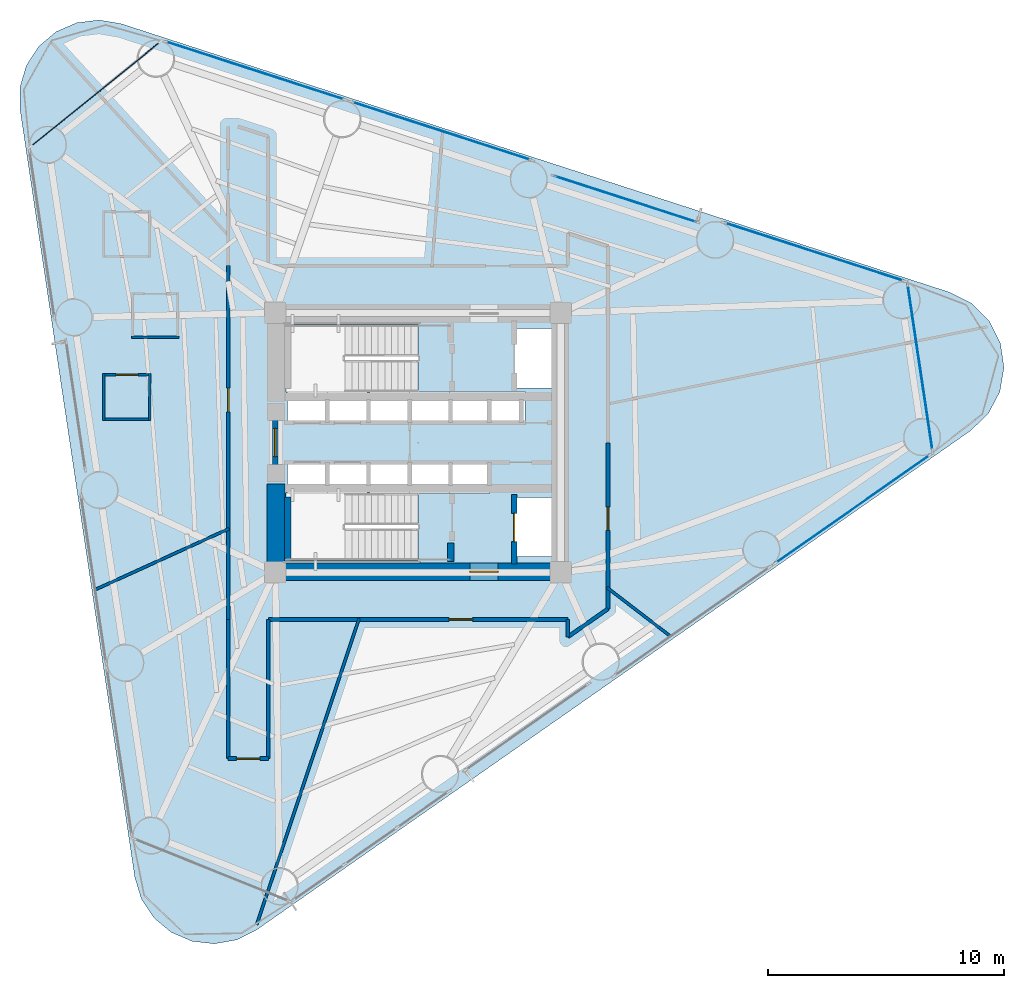
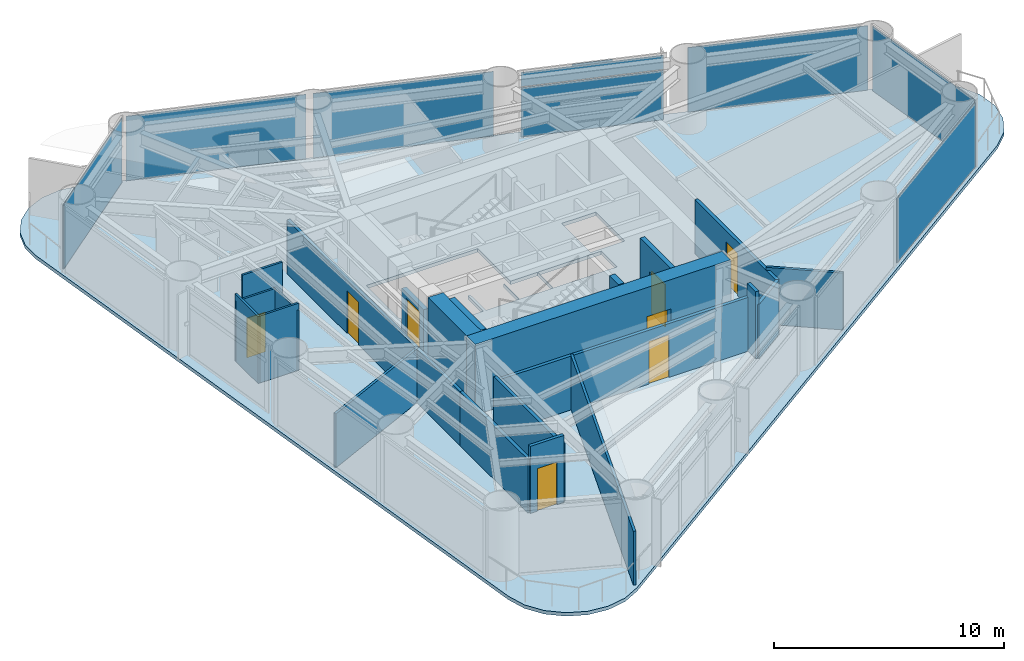
# One storey, part 5 of 11: 22 walls, 9 plates, 8 doors, 1 slab, 8 openings, 7 elements without a shape of their own.
"""IFC4 building model written with IfcOpenShell, lengths in metres."""

from ifc_helpers import new_model, si_unit, direction, frame, frame_2d, origin, origin_2d, place, context, subcontext, project, spatial, polyline, rectangle, outline, extrude, source, transform, mapped, material, layer, layer_set, type_object, element, fill, aggregate, save


model = new_model("IFC4")

# Units and contexts
model_context = context("Model", 3, precision=1e-05, world=origin(), true_north=direction((0.0, 1.0)))
body_context = subcontext(model_context, "Body", "Model", "MODEL_VIEW")
ifc_project = project(units=[si_unit("LENGTHUNIT", "METRE"), si_unit("AREAUNIT", "SQUARE_METRE"), si_unit("VOLUMEUNIT", "CUBIC_METRE"), si_unit("PLANEANGLEUNIT", "RADIAN"), si_unit("MASSUNIT", "GRAM", prefix="KILO")], contexts=[model_context])

# Site, building, storey
site_placement = place(None, origin())
site = spatial("IfcSite", under=ifc_project, at=site_placement, CompositionType="ELEMENT")
building_placement = place(site_placement, origin())
building = spatial("IfcBuilding", under=site, at=building_placement, Name="Yunling Apex Tower", CompositionType="ELEMENT")
storey_placement = place(building_placement, frame((0.0, 0.0, 54.800048828125)))
storey = spatial("IfcBuildingStorey", under=building, at=storey_placement, Name="L14", CompositionType="ELEMENT", Elevation=54.800048828125)

# Slab
ifc_material_1 = material(Name="Concrete C40", Category="concrete")
ifc_layer_1 = layer(ifc_material_1, 0.179931640625)
ifc_layer_set_1 = layer_set([ifc_layer_1], Name="Concrete C40")
slab_type = type_object("IfcSlabType", Name="SL-FLR-1", PredefinedType="FLOOR", material=ifc_layer_set_1)
slab_placement = place(storey_placement, frame((0.0, 0.0, -0.18505859375)))
element("IfcSlab", 1, at=slab_placement, inside=storey, type_object=slab_type, Name="L14 Composite Tower Floor Slab", PredefinedType="FLOOR", context=body_context, shape_type="SweptSolid", body=[
    extrude(outline(polyline([(-12.00732421875, -18.4326171875), (-11.730224609375, -19.349365234375), (-11.202392578125, -20.1484375), (-10.467529296875, -20.7626953125), (-9.587646484375, -21.14111328125), (-8.636474609375, -21.251708984375), (-7.693115234375, -21.08544921875), (-6.837158203125, -20.656005859375), (23.428955078125, 0.50537109375), (24.1796875, 1.231201171875), (24.6669921875, 2.155029296875), (24.842041015625, 3.184814453125), (24.687744140625, 4.217529296875), (24.21923828125, 5.15087890625), (23.483154296875, 5.89208984375), (22.552978515625, 6.36669921875), (-12.57763671875, 17.75439453125), (-13.521728515625, 17.914794921875), (-14.472412109375, 17.798095703125), (-15.349853515625, 17.414306640625), (-16.080810546875, 16.795166015625), (-16.603515625, 15.992919921875), (-16.875, 15.07421875), (-16.871826171875, 14.116455078125), (-12.00732421875, -18.4326171875)]), holes=[polyline([(5.81005859375, -2.320068359375), (5.81005859375, -4.840087890625), (4.090087890625, -4.840087890625), (4.090087890625, -2.320068359375), (5.81005859375, -2.320068359375)]), polyline([(5.81005859375, 4.840087890625), (5.81005859375, 2.320068359375), (4.090087890625, 2.320068359375), (4.090087890625, 4.840087890625), (5.81005859375, 4.840087890625)]), polyline([(1.364990234375, 2.1650390625), (4.534912109375, 2.1650390625), (4.534912109375, 0.794921875), (1.364990234375, 0.794921875), (1.364990234375, 2.1650390625)]), polyline([(3.034912109375, -0.794921875), (3.034912109375, -2.1650390625), (1.364990234375, -2.1650390625), (1.364990234375, -0.794921875), (3.034912109375, -0.794921875)]), polyline([(-5.534912109375, -0.794921875), (-3.864990234375, -0.794921875), (-3.864990234375, -2.139892578125), (-3.8349609375, -2.139892578125), (-3.8349609375, -0.794921875), (-2.1650390625, -0.794921875), (-2.1650390625, -2.139892578125), (-2.034912109375, -2.139892578125), (-2.034912109375, -0.794921875), (-0.364990234375, -0.794921875), (-0.364990234375, -2.139892578125), (-0.3349609375, -2.139892578125), (-0.3349609375, -0.794921875), (1.3349609375, -0.794921875), (1.3349609375, -2.1650390625), (-0.010009765625, -2.1650390625), (-0.010009765625, -5.010009765625), (-5.60009765625, -5.010009765625), (-5.60009765625, -2.139892578125), (-5.534912109375, -2.139892578125), (-5.534912109375, -0.794921875)]), polyline([(-5.60009765625, 2.139892578125), (-5.60009765625, 5.010009765625), (-0.010009765625, 5.010009765625), (-0.010009765625, 2.1650390625), (1.3349609375, 2.1650390625), (1.3349609375, 0.794921875), (-0.3349609375, 0.794921875), (-0.3349609375, 2.139892578125), (-0.364990234375, 2.139892578125), (-0.364990234375, 0.794921875), (-2.034912109375, 0.794921875), (-2.034912109375, 2.139892578125), (-2.1650390625, 2.139892578125), (-2.1650390625, 0.794921875), (-3.8349609375, 0.794921875), (-3.8349609375, 2.139892578125), (-3.864990234375, 2.139892578125), (-3.864990234375, 0.794921875), (-5.534912109375, 0.794921875), (-5.534912109375, 2.139892578125), (-5.60009765625, 2.139892578125)])]), origin(), (0.0, 0.0, 1.0), 0.18505859375),
])

# Plate
ifc_material_2 = material(Name="Bronze anodised aluminium", Category="aluminium")
ifc_layer_2 = layer(ifc_material_2, 0.011962890625)
ifc_layer_set_2 = layer_set([ifc_layer_2], Name="Bronze anodised aluminium")
plate_type_1 = type_object("IfcPlateType", Name="SP-SHT-1", PredefinedType="SHEET", material=ifc_layer_set_2)
shared_shape_1 = source(origin(), body_context, "Body", "SweptSolid", [
    extrude(rectangle(XDim=1.800048828125, YDim=0.02392578125, at=origin_2d()), origin(), (0.0, 0.0, 1.0), 0.43994140625),
])
plate_1_placement = place(storey_placement, frame((8.7919921875, 10.32275390625, 3.1650390625), z_axis=(0.0, 0.0, 1.0), x_axis=(-0.951272019071, 0.30835295642, 0.0)))
element("IfcPlate", 2, at=plate_1_placement, inside=storey, type_object=plate_type_1, Name="SP-GRV-L14-F2", PredefinedType="SHEET", context=body_context, shape_type="MappedRepresentation", body=[
    mapped(shared_shape_1, transform((0.0, 0.0, 0.0), scale=1.0)),
])

# Curtain wall, plates
ifc_layer_3 = layer(ifc_material_2, 0.260009765625)
ifc_layer_set_3 = layer_set([ifc_layer_3], Name="Bronze anodised aluminium")
curtain_wall_type = type_object("IfcCurtainWallType", Name="CW-SYS-2", PredefinedType="NOTDEFINED", material=ifc_layer_set_3)
curtain_wall_1_placement = place(storey_placement, origin())
curtain_wall_1 = element("IfcCurtainWall", 3, at=curtain_wall_1_placement, inside=storey, type_object=curtain_wall_type, Name="CW-L14-F2-B2", PredefinedType="NOTDEFINED")
ifc_material_3 = material(Name="Bronze tinted low-E glass", Category="glass")
ifc_layer_4 = layer(ifc_material_3, 0.033935546875)
ifc_layer_set_4 = layer_set([ifc_layer_4], Name="Bronze tinted low-E glass")
plate_type_2 = type_object("IfcPlateType", Name="CW-PNL-2", PredefinedType="CURTAIN_PANEL", material=ifc_layer_set_4)
shared_shape_2 = source(origin(), body_context, "Body", "SweptSolid", [
    extrude(rectangle(XDim=6.315673828125, YDim=0.033935546875, at=origin_2d()), origin(), (0.0, 0.0, 1.0), 2.60400390625),
])
plate_2_placement = place(storey_placement, frame((8.7919921875, 10.32275390625, 0.07666015625), z_axis=(0.0, 0.0, 1.0), x_axis=(-0.951272336999, 0.308351975608, 0.0)))
plate_2 = element("IfcPlate", 4, at=plate_2_placement, type_object=plate_type_2, Name="CW-SYS-2 panel 1.1", PredefinedType="CURTAIN_PANEL", context=body_context, shape_type="MappedRepresentation", body=[
    mapped(shared_shape_2, transform((0.0, 0.0, 0.0), scale=1.0)),
])
shared_shape_3 = source(origin(), body_context, "Body", "SweptSolid", [
    extrude(rectangle(XDim=6.315673828125, YDim=0.033935546875, at=origin_2d()), origin(), (0.0, 0.0, 1.0), 0.739013671875),
])
plate_3_placement = place(storey_placement, frame((8.7919921875, 10.32275390625, 2.7490234375), z_axis=(0.0, 0.0, 1.0), x_axis=(-0.951272336999, 0.308351975608, 0.0)))
plate_3 = element("IfcPlate", 5, at=plate_3_placement, type_object=plate_type_2, Name="CW-SYS-2 panel 1.2", PredefinedType="CURTAIN_PANEL", context=body_context, shape_type="MappedRepresentation", body=[
    mapped(shared_shape_3, transform((0.0, 0.0, 0.0), scale=1.0)),
])
aggregate(curtain_wall_1, [plate_2, plate_3])

# Curtain wall, plate
curtain_wall_2_placement = place(storey_placement, origin())
curtain_wall_2 = element("IfcCurtainWall", 6, at=curtain_wall_2_placement, inside=storey, type_object=curtain_wall_type, Name="CW-L14-F1-B4", PredefinedType="NOTDEFINED")
shared_shape_4 = source(origin(), body_context, "Body", "SweptSolid", [
    extrude(rectangle(XDim=7.995849609375, YDim=0.033935546875, at=origin_2d()), origin(), (0.0, 0.0, 1.0), 3.41162109375),
])
plate_4_placement = place(storey_placement, frame((18.430419921875, -2.818603515625, 0.07666015625), z_axis=(0.0, 0.0, 1.0), x_axis=(0.819552319691, 0.573004358875, 0.0)))
plate_4 = element("IfcPlate", 7, at=plate_4_placement, type_object=plate_type_2, Name="CW-SYS-2 panel 1.1", PredefinedType="CURTAIN_PANEL", context=body_context, shape_type="MappedRepresentation", body=[
    mapped(shared_shape_4, transform((0.0, 0.0, 0.0), scale=1.0)),
])
aggregate(curtain_wall_2, [plate_4])

curtain_wall_3_placement = place(storey_placement, origin())
curtain_wall_3 = element("IfcCurtainWall", 8, at=curtain_wall_3_placement, inside=storey, type_object=curtain_wall_type, Name="CW-L14-F2-B1", PredefinedType="NOTDEFINED")
plate_5_placement = place(storey_placement, frame((16.801025390625, 8.083984375, 0.07666015625), z_axis=(0.0, 0.0, 1.0), x_axis=(-0.951270593784, 0.30835735341, 0.0)))
plate_5 = element("IfcPlate", 9, at=plate_5_placement, type_object=plate_type_2, Name="CW-SYS-2 panel 1.1", PredefinedType="CURTAIN_PANEL", context=body_context, shape_type="MappedRepresentation", body=[
    mapped(shared_shape_4, transform((0.0, 0.0, 0.0), scale=1.0)),
])
aggregate(curtain_wall_3, [plate_5])

curtain_wall_4_placement = place(storey_placement, origin())
curtain_wall_4 = element("IfcCurtainWall", 10, at=curtain_wall_4_placement, inside=storey, type_object=curtain_wall_type, Name="CW-L14-F2-B3", PredefinedType="NOTDEFINED")
plate_6_placement = place(storey_placement, frame((0.9921875, 13.20849609375, 0.07666015625), z_axis=(0.0, 0.0, 1.0), x_axis=(-0.951266994272, 0.308368457544, 0.0)))
plate_6 = element("IfcPlate", 11, at=plate_6_placement, type_object=plate_type_2, Name="CW-SYS-2 panel 1.1", PredefinedType="CURTAIN_PANEL", context=body_context, shape_type="MappedRepresentation", body=[
    mapped(shared_shape_4, transform((0.0, 0.0, 0.0), scale=1.0)),
])
aggregate(curtain_wall_4, [plate_6])

curtain_wall_5_placement = place(storey_placement, origin())
curtain_wall_5 = element("IfcCurtainWall", 12, at=curtain_wall_5_placement, inside=storey, type_object=curtain_wall_type, Name="CW-L14-F2-B4", PredefinedType="NOTDEFINED")
plate_7_placement = place(storey_placement, frame((-6.912109375, 15.770751953125, 0.07666015625), z_axis=(0.0, 0.0, 1.0), x_axis=(-0.951270593784, 0.30835735341, 0.0)))
plate_7 = element("IfcPlate", 13, at=plate_7_placement, type_object=plate_type_2, Name="CW-SYS-2 panel 1.1", PredefinedType="CURTAIN_PANEL", context=body_context, shape_type="MappedRepresentation", body=[
    mapped(shared_shape_4, transform((0.0, 0.0, 0.0), scale=1.0)),
])
aggregate(curtain_wall_5, [plate_7])

curtain_wall_6_placement = place(storey_placement, origin())
curtain_wall_6 = element("IfcCurtainWall", 14, at=curtain_wall_6_placement, inside=storey, type_object=curtain_wall_type, Name="CW-L14-CRN1", PredefinedType="NOTDEFINED")
shared_shape_5 = source(origin(), body_context, "Body", "SweptSolid", [
    extrude(rectangle(XDim=7.132080078125, YDim=0.033935546875, at=origin_2d()), origin(), (0.0, 0.0, 1.0), 3.41162109375),
])
plate_8_placement = place(storey_placement, frame((21.28564453125, 3.18115234375, 0.07666015625), z_axis=(0.0, 0.0, 1.0), x_axis=(-0.147798115278, 0.989017551472, 0.0)))
plate_8 = element("IfcPlate", 15, at=plate_8_placement, type_object=plate_type_2, Name="CW-SYS-2 panel 1.1", PredefinedType="CURTAIN_PANEL", context=body_context, shape_type="MappedRepresentation", body=[
    mapped(shared_shape_5, transform((0.0, 0.0, 0.0), scale=1.0)),
])
aggregate(curtain_wall_6, [plate_8])

curtain_wall_7_placement = place(storey_placement, origin())
curtain_wall_7 = element("IfcCurtainWall", 16, at=curtain_wall_7_placement, inside=storey, type_object=curtain_wall_type, Name="CW-L14-CRN2", PredefinedType="NOTDEFINED")
shared_shape_6 = source(origin(), body_context, "Body", "SweptSolid", [
    extrude(rectangle(XDim=7.043212890625, YDim=0.033935546875, at=origin_2d()), origin(), (0.0, 0.0, 1.0), 3.41162109375),
])
plate_9_placement = place(storey_placement, frame((-13.67041015625, 14.772705078125, 0.07666015625), z_axis=(0.0, 0.0, 1.0), x_axis=(-0.778148820322, -0.628079941911, 0.0)))
plate_9 = element("IfcPlate", 17, at=plate_9_placement, type_object=plate_type_2, Name="CW-SYS-2 panel 1.1", PredefinedType="CURTAIN_PANEL", context=body_context, shape_type="MappedRepresentation", body=[
    mapped(shared_shape_6, transform((0.0, 0.0, 0.0), scale=1.0)),
])
aggregate(curtain_wall_7, [plate_9])

# Wall, opening, door
ifc_material_4 = material(Name="Concrete C60", Category="concrete")
ifc_layer_5 = layer(ifc_material_4, 0.75)
ifc_layer_set_5 = layer_set([ifc_layer_5], Name="Concrete C60")
wall_type_1 = type_object("IfcWallType", Name="WL-COR-1", PredefinedType="SHEAR", material=ifc_layer_set_5)
wall_1_placement = place(storey_placement, frame((-6.39990234375, -5.47509765625, 0.0), z_axis=(0.0, 0.0, 1.0), x_axis=(1.0, 0.0, 0.0)))
wall_1 = element("IfcWall", 18, at=wall_1_placement, inside=storey, type_object=wall_type_1, Name="L14 South Core Shear Wall", PredefinedType="SHEAR", context=body_context, shape_type="SweptSolid", body=[
    extrude(rectangle(XDim=12.7998046875, YDim=0.75, at=frame_2d((6.39990234375, 0.0))), origin(), (0.0, 0.0, 1.0), 3.75),
])
opening_1_placement = place(wall_1_placement, frame((8.60009765625, 0.0, 0.0)))
opening_1 = element("IfcOpeningElement", 19, at=opening_1_placement, cuts=wall_1, Name="Opening DR-FFL-1", PredefinedType="OPENING", context=body_context, shape_type="SweptSolid", body=[
    extrude(rectangle(XDim=1.199951171875, YDim=2.199951171875, at=frame_2d((0.60009765625, 1.10009765625))), frame((0.0, 0.385009765625, 0.0), z_axis=(0.0, -1.0, 0.0), x_axis=(1.0, 0.0, 0.0)), (0.0, 0.0, 1.0), 0.77001953125),
])
ifc_material_5 = material(Name="Steel Q355B", Category="steel")
door_type_1 = type_object("IfcDoorType", Name="DR-FFL-1", OperationType="NOTDEFINED", PredefinedType="DOOR", material=ifc_material_5)
door_1_placement = place(opening_1_placement, origin())
door_1 = element("IfcDoor", 20, at=door_1_placement, inside=storey, type_object=door_type_1, Name="L14 South Firefighting Lobby Door", OperationType="SINGLE_SWING_RIGHT", OverallHeight=2.199951171875, OverallWidth=1.199951171875, PredefinedType="DOOR", context=body_context, shape_type="SweptSolid", body=[
    extrude(rectangle(XDim=1.199951171875, YDim=2.199951171875, at=frame_2d((0.60009765625, 1.10009765625))), frame((0.0, 0.02490234375, 0.0), z_axis=(0.0, -1.0, 0.0), x_axis=(1.0, 0.0, 0.0)), (0.0, 0.0, 1.0), 0.050048828125),
])
fill(opening_1, door_1)

# Walls
wall_2_placement = place(storey_placement, frame((-6.02490234375, -5.10009765625, 0.0), z_axis=(0.0, 0.0, 1.0), x_axis=(0.0, 1.0, 0.0)))
element("IfcWall", 21, at=wall_2_placement, inside=storey, type_object=wall_type_1, Name="L14 West-South Core Shear Wall", PredefinedType="SHEAR", context=body_context, shape_type="SweptSolid", body=[
    extrude(rectangle(XDim=3.35009765625, YDim=0.75, at=frame_2d((1.675048828125, 0.0))), origin(), (0.0, 0.0, 1.0), 3.75),
])
ifc_layer_6 = layer(ifc_material_1, 0.280029296875)
ifc_layer_set_6 = layer_set([ifc_layer_6], Name="Concrete C40")
wall_type_2 = type_object("IfcWallType", Name="WL-COR-8", PredefinedType="SHEAR", material=ifc_layer_set_6)
wall_3_placement = place(storey_placement, frame((-5.52001953125, -5.050048828125, 0.0), z_axis=(0.0, 0.0, 1.0), x_axis=(0.0, 1.0, 0.0)))
element("IfcWall", 22, at=wall_3_placement, inside=storey, type_object=wall_type_2, Name="L14 ST-2 West Landing Bearing Wall", PredefinedType="SHEAR", context=body_context, shape_type="SweptSolid", body=[
    extrude(rectangle(XDim=2.75, YDim=0.280029296875, at=frame_2d((1.375, 0.0))), origin(), (0.0, 0.0, 1.0), 3.75),
])
wall_4_placement = place(storey_placement, frame((1.3798828125, -5.050048828125, 0.0), z_axis=(0.0, 0.0, 1.0), x_axis=(0.0, 1.0, 0.0)))
element("IfcWall", 23, at=wall_4_placement, inside=storey, type_object=wall_type_2, Name="L14 ST-2 East Landing Bearing Pier", PredefinedType="SHEAR", context=body_context, shape_type="SweptSolid", body=[
    extrude(rectangle(XDim=0.800048828125, YDim=0.280029296875, at=frame_2d((0.39990234375, 0.0))), origin(), (0.0, 0.0, 1.0), 3.75),
])

# Wall, opening, door
ifc_material_6 = material(Name="Gypsum board acoustic partition")
ifc_layer_7 = layer(ifc_material_6, 0.159912109375)
ifc_layer_set_7 = layer_set([ifc_layer_7], Name="Gypsum board acoustic partition")
wall_type_3 = type_object("IfcWallType", Name="WL-PRT-1", PredefinedType="PARTITIONING", material=ifc_layer_set_7)
wall_5_placement = place(storey_placement, frame((-6.35009765625, -13.39990234375, 0.0), z_axis=(0.0, 0.0, 1.0), x_axis=(-1.0, 0.0, 0.0)))
wall_5 = element("IfcWall", 24, at=wall_5_placement, inside=storey, type_object=wall_type_3, Name="WL-CORR-L14-01", PredefinedType="PARTITIONING", context=body_context, shape_type="SweptSolid", body=[
    extrude(rectangle(XDim=1.699951171875, YDim=0.159912109375, at=frame_2d((0.85009765625, 0.0))), origin(), (0.0, 0.0, 1.0), 3.544921875),
])
opening_2_placement = place(wall_5_placement, frame((0.35009765625, 0.0, 0.0)))
opening_2 = element("IfcOpeningElement", 25, at=opening_2_placement, cuts=wall_5, Name="Opening DR-OFF-1", PredefinedType="OPENING", context=body_context, shape_type="SweptSolid", body=[
    extrude(rectangle(XDim=1.0, YDim=2.25, at=frame_2d((0.5, 1.125))), frame((0.0, 0.08984375, 0.0), z_axis=(0.0, -1.0, 0.0), x_axis=(1.0, 0.0, 0.0)), (0.0, 0.0, 1.0), 0.179931640625),
])
door_type_2 = type_object("IfcDoorType", Name="DR-OFF-1", OperationType="NOTDEFINED", PredefinedType="DOOR", material=ifc_material_2)
door_2_placement = place(opening_2_placement, origin())
door_2 = element("IfcDoor", 26, at=door_2_placement, inside=storey, type_object=door_type_2, Name="L14 Conference Meeting Room Door", OperationType="SINGLE_SWING_RIGHT", OverallHeight=2.25, OverallWidth=1.0, PredefinedType="DOOR", context=body_context, shape_type="SweptSolid", body=[
    extrude(rectangle(XDim=1.0, YDim=2.25, at=frame_2d((0.5, 1.125))), frame((0.0, 0.02490234375, 0.0), z_axis=(0.0, -1.0, 0.0), x_axis=(1.0, 0.0, 0.0)), (0.0, 0.0, 1.0), 0.050048828125),
])
fill(opening_2, door_2)

# Wall
wall_6_placement = place(storey_placement, frame((-8.050048828125, -13.39990234375, 0.0), z_axis=(0.0, 0.0, 1.0), x_axis=(0.0, 1.0, 0.0)))
element("IfcWall", 27, at=wall_6_placement, inside=storey, type_object=wall_type_3, Name="WL-CORR-L14-02", PredefinedType="PARTITIONING", context=body_context, shape_type="SweptSolid", body=[
    extrude(rectangle(XDim=5.89990234375, YDim=0.159912109375, at=frame_2d((2.949951171875, 0.0))), origin(), (0.0, 0.0, 1.0), 2.849853515625),
])

# Wall, opening, door
wall_7_placement = place(storey_placement, frame((-8.050048828125, -7.5, 0.0), z_axis=(0.0, 0.0, 1.0), x_axis=(0.0, 1.0, 0.0)))
wall_7 = element("IfcWall", 28, at=wall_7_placement, inside=storey, type_object=wall_type_3, Name="WL-CORR-L14-03", PredefinedType="PARTITIONING", context=body_context, shape_type="SweptSolid", body=[
    extrude(rectangle(XDim=15.0, YDim=0.159912109375, at=frame_2d((7.5, 0.0))), origin(), (0.0, 0.0, 1.0), 2.849853515625),
])
opening_3_placement = place(wall_7_placement, frame((8.805908203125, 0.0, 0.0)))
opening_3 = element("IfcOpeningElement", 29, at=opening_3_placement, cuts=wall_7, Name="Opening DR-OFF-1", PredefinedType="OPENING", context=body_context, shape_type="SweptSolid", body=[
    extrude(rectangle(XDim=1.0, YDim=2.25, at=frame_2d((0.5, 1.125))), frame((0.0, 0.08984375, 0.0), z_axis=(0.0, -1.0, 0.0), x_axis=(1.0, 0.0, 0.0)), (0.0, 0.0, 1.0), 0.179931640625),
])
door_3_placement = place(opening_3_placement, origin())
door_3 = element("IfcDoor", 30, at=door_3_placement, inside=storey, type_object=door_type_2, Name="L14 Service Foyer Lounge Door", OperationType="SINGLE_SWING_LEFT", OverallHeight=2.25, OverallWidth=1.0, PredefinedType="DOOR", context=body_context, shape_type="SweptSolid", body=[
    extrude(rectangle(XDim=1.0, YDim=2.25, at=frame_2d((0.5, 1.125))), frame((0.0, 0.02490234375, 0.0), z_axis=(0.0, -1.0, 0.0), x_axis=(1.0, 0.0, 0.0)), (0.0, 0.0, 1.0), 0.050048828125),
])
fill(opening_3, door_3)

wall_8_placement = place(storey_placement, frame((8.050048828125, -0.02001953125, 0.0), z_axis=(0.0, 0.0, 1.0), x_axis=(0.0, -1.0, 0.0)))
wall_8 = element("IfcWall", 31, at=wall_8_placement, inside=storey, type_object=wall_type_3, Name="WL-CORR-L14-13", PredefinedType="PARTITIONING", context=body_context, shape_type="SweptSolid", body=[
    extrude(rectangle(XDim=7.0302734375, YDim=0.159912109375, at=frame_2d((3.51513671875, 0.0))), origin(), (0.0, 0.0, 1.0), 2.849853515625),
])
opening_4_placement = place(wall_8_placement, frame((2.70458984375, 0.0, 0.0)))
opening_4 = element("IfcOpeningElement", 32, at=opening_4_placement, cuts=wall_8, Name="Opening DR-OFF-1", PredefinedType="OPENING", context=body_context, shape_type="SweptSolid", body=[
    extrude(rectangle(XDim=1.0, YDim=2.25, at=frame_2d((0.5, 1.125))), frame((0.0, 0.08984375, 0.0), z_axis=(0.0, -1.0, 0.0), x_axis=(1.0, 0.0, 0.0)), (0.0, 0.0, 1.0), 0.179931640625),
])
door_4_placement = place(opening_4_placement, origin())
door_4 = element("IfcDoor", 33, at=door_4_placement, inside=storey, type_object=door_type_2, Name="L14 Conference Meeting Room Door", OperationType="SINGLE_SWING_RIGHT", OverallHeight=2.25, OverallWidth=1.0, PredefinedType="DOOR", context=body_context, shape_type="SweptSolid", body=[
    extrude(rectangle(XDim=1.0, YDim=2.25, at=frame_2d((0.5, 1.125))), frame((0.0, 0.02490234375, 0.0), z_axis=(0.0, -1.0, 0.0), x_axis=(1.0, 0.0, 0.0)), (0.0, 0.0, 1.0), 0.050048828125),
])
fill(opening_4, door_4)

# Walls
wall_9_placement = place(storey_placement, frame((8.050048828125, -7.05029296875, 0.0), z_axis=(0.0, 0.0, 1.0), x_axis=(-0.819513816746, -0.573059424635, 0.0)))
element("IfcWall", 34, at=wall_9_placement, inside=storey, type_object=wall_type_3, Name="WL-CORR-L14-14", PredefinedType="PARTITIONING", context=body_context, shape_type="SweptSolid", body=[
    extrude(rectangle(XDim=2.074462890625, YDim=0.159912109375, at=frame_2d((1.037109375, 0.0))), origin(), (0.0, 0.0, 1.0), 2.849853515625),
])
wall_10_placement = place(storey_placement, frame((6.35009765625, -8.239013671875, 0.0), z_axis=(0.0, 0.0, 1.0), x_axis=(0.0, 1.0, 0.0)))
element("IfcWall", 35, at=wall_10_placement, inside=storey, type_object=wall_type_3, Name="WL-CORR-L14-15", PredefinedType="PARTITIONING", context=body_context, shape_type="SweptSolid", body=[
    extrude(rectangle(XDim=0.739013671875, YDim=0.159912109375, at=frame_2d((0.36962890625, 0.0))), origin(), (0.0, 0.0, 1.0), 3.544921875),
])

# Wall, opening, door
wall_11_placement = place(storey_placement, frame((6.35009765625, -7.5, 0.0), z_axis=(0.0, 0.0, 1.0), x_axis=(-1.0, 0.0, 0.0)))
wall_11 = element("IfcWall", 36, at=wall_11_placement, inside=storey, type_object=wall_type_3, Name="WL-CORR-L14-16", PredefinedType="PARTITIONING", context=body_context, shape_type="SweptSolid", body=[
    extrude(rectangle(XDim=12.7001953125, YDim=0.159912109375, at=frame_2d((6.35009765625, 0.0))), origin(), (0.0, 0.0, 1.0), 2.849853515625),
])
opening_5_placement = place(wall_11_placement, frame((4.03515625, 0.0, 0.0)))
opening_5 = element("IfcOpeningElement", 37, at=opening_5_placement, cuts=wall_11, Name="Opening DR-OFF-1", PredefinedType="OPENING", context=body_context, shape_type="SweptSolid", body=[
    extrude(rectangle(XDim=1.0, YDim=2.25, at=frame_2d((0.5, 1.125))), frame((0.0, 0.08984375, 0.0), z_axis=(0.0, -1.0, 0.0), x_axis=(1.0, 0.0, 0.0)), (0.0, 0.0, 1.0), 0.179931640625),
])
door_5_placement = place(opening_5_placement, origin())
door_5 = element("IfcDoor", 38, at=door_5_placement, inside=storey, type_object=door_type_2, Name="L14 Conference Meeting Room Door", OperationType="SINGLE_SWING_LEFT", OverallHeight=2.25, OverallWidth=1.0, PredefinedType="DOOR", context=body_context, shape_type="SweptSolid", body=[
    extrude(rectangle(XDim=1.0, YDim=2.25, at=frame_2d((0.5, 1.125))), frame((0.0, 0.02490234375, 0.0), z_axis=(0.0, -1.0, 0.0), x_axis=(1.0, 0.0, 0.0)), (0.0, 0.0, 1.0), 0.050048828125),
])
fill(opening_5, door_5)

# Walls
wall_12_placement = place(storey_placement, frame((-6.35009765625, -7.5, 0.0), z_axis=(0.0, 0.0, 1.0), x_axis=(0.0, -1.0, 0.0)))
element("IfcWall", 39, at=wall_12_placement, inside=storey, type_object=wall_type_3, Name="WL-CORR-L14-17", PredefinedType="PARTITIONING", context=body_context, shape_type="SweptSolid", body=[
    extrude(rectangle(XDim=5.89990234375, YDim=0.159912109375, at=frame_2d((2.949951171875, 0.0))), origin(), (0.0, 0.0, 1.0), 3.050048828125),
])
ifc_layer_8 = layer(ifc_material_6, 0.1201171875)
ifc_layer_set_8 = layer_set([ifc_layer_8], Name="Gypsum board acoustic partition")
wall_type_4 = type_object("IfcWallType", Name="WL-PRT-3", PredefinedType="PARTITIONING", material=ifc_layer_set_8)
wall_13_placement = place(storey_placement, frame((-8.010009765625, -3.650390625, 0.0), z_axis=(0.0, 0.0, 1.0), x_axis=(-0.909955974898, -0.414704863425, 0.0)))
element("IfcWall", 40, at=wall_13_placement, inside=storey, type_object=wall_type_4, Name="WL-RAD-L14-03", PredefinedType="PARTITIONING", context=body_context, shape_type="SweptSolid", body=[
    extrude(rectangle(XDim=6.198486328125, YDim=0.1201171875, at=frame_2d((3.09912109375, 0.0))), origin(), (0.0, 0.0, 1.0), 2.849853515625),
])
wall_14_placement = place(storey_placement, frame((-2.49609375, -7.4599609375, 0.0), z_axis=(0.0, 0.0, 1.0), x_axis=(-0.317303379034, -0.948324082608, 0.0)))
element("IfcWall", 41, at=wall_14_placement, inside=storey, type_object=wall_type_4, Name="WL-RAD-L14-04", PredefinedType="PARTITIONING", context=body_context, shape_type="SweptSolid", body=[
    extrude(rectangle(XDim=13.68408203125, YDim=0.1201171875, at=frame_2d((6.842041015625, 0.0))), origin(), (0.0, 0.0, 1.0), 2.849853515625),
])
wall_15_placement = place(storey_placement, frame((8.010009765625, -6.146240234375, 0.0), z_axis=(0.0, 0.0, 1.0), x_axis=(0.79333380799, -0.608786883153, 0.0)))
element("IfcWall", 42, at=wall_15_placement, inside=storey, type_object=wall_type_4, Name="WL-RAD-L14-05", PredefinedType="PARTITIONING", context=body_context, shape_type="SweptSolid", body=[
    extrude(rectangle(XDim=3.360107421875, YDim=0.1201171875, at=frame_2d((1.68017578125, 0.0))), origin(), (0.0, 0.0, 1.0), 3.010009765625),
])

# Wall, opening, door
ifc_layer_9 = layer(ifc_material_6, 0.10009765625)
ifc_layer_set_9 = layer_set([ifc_layer_9], Name="Gypsum board acoustic partition")
wall_type_5 = type_object("IfcWallType", Name="WL-PRT-4", PredefinedType="PARTITIONING", material=ifc_layer_set_9)
wall_16_placement = place(storey_placement, frame((-13.366943359375, 2.881103515625, 0.0), z_axis=(0.0, 0.0, 1.0), x_axis=(1.0, 0.0, 0.0)))
wall_16 = element("IfcWall", 43, at=wall_16_placement, inside=storey, type_object=wall_type_5, Name="WL-L14-WCMN", PredefinedType="PARTITIONING", context=body_context, shape_type="SweptSolid", body=[
    extrude(rectangle(XDim=2.050048828125, YDim=0.10009765625, at=frame_2d((1.02490234375, 0.0))), origin(), (0.0, 0.0, 1.0), 3.199951171875),
])
opening_6_placement = place(wall_16_placement, frame((0.56494140625, 0.0, 0.0)))
opening_6 = element("IfcOpeningElement", 44, at=opening_6_placement, cuts=wall_16, Name="Opening DR-WC-1", PredefinedType="OPENING", context=body_context, shape_type="SweptSolid", body=[
    extrude(rectangle(XDim=0.919921875, YDim=2.10009765625, at=frame_2d((0.4599609375, 1.050048828125))), frame((0.0, 0.06005859375, 0.0), z_axis=(0.0, -1.0, 0.0), x_axis=(1.0, 0.0, 0.0)), (0.0, 0.0, 1.0), 0.1201171875),
])
ifc_material_7 = material(Name="Timber moisture-resistant leaf", Category="wood")
door_type_3 = type_object("IfcDoorType", Name="DR-WC-1", OperationType="NOTDEFINED", PredefinedType="DOOR", material=ifc_material_7)
door_6_placement = place(opening_6_placement, origin())
door_6 = element("IfcDoor", 45, at=door_6_placement, inside=storey, type_object=door_type_3, Name="L14 Male Toilet Door", OperationType="SINGLE_SWING_LEFT", OverallHeight=2.10009765625, OverallWidth=0.919921875, PredefinedType="DOOR", context=body_context, shape_type="SweptSolid", body=[
    extrude(rectangle(XDim=0.919921875, YDim=2.10009765625, at=frame_2d((0.4599609375, 1.050048828125))), frame((0.0, 0.02490234375, 0.0), z_axis=(0.0, -1.0, 0.0), x_axis=(1.0, 0.0, 0.0)), (0.0, 0.0, 1.0), 0.050048828125),
])
fill(opening_6, door_6)

# Walls
wall_17_placement = place(storey_placement, frame((-11.31689453125, 0.98095703125, 0.0), z_axis=(0.0, 0.0, 1.0), x_axis=(-1.0, 0.0, 0.0)))
element("IfcWall", 46, at=wall_17_placement, inside=storey, type_object=wall_type_5, Name="WL-L14-WCMS", PredefinedType="PARTITIONING", context=body_context, shape_type="SweptSolid", body=[
    extrude(rectangle(XDim=2.050048828125, YDim=0.10009765625, at=frame_2d((1.02490234375, 0.0))), origin(), (0.0, 0.0, 1.0), 3.544921875),
])
wall_18_placement = place(storey_placement, frame((-11.366943359375, 2.930908203125, 0.0), z_axis=(0.0, 0.0, 1.0), x_axis=(0.0, -1.0, 0.0)))
element("IfcWall", 47, at=wall_18_placement, inside=storey, type_object=wall_type_5, Name="WL-L14-WCME", PredefinedType="PARTITIONING", context=body_context, shape_type="SweptSolid", body=[
    extrude(rectangle(XDim=2.0, YDim=0.10009765625, at=frame_2d((1.0, 0.0))), origin(), (0.0, 0.0, 1.0), 3.199951171875),
])
wall_19_placement = place(storey_placement, frame((-13.31689453125, 0.930908203125, 0.0), z_axis=(0.0, 0.0, 1.0), x_axis=(0.0, 1.0, 0.0)))
element("IfcWall", 48, at=wall_19_placement, inside=storey, type_object=wall_type_5, Name="WL-L14-WCMW", PredefinedType="PARTITIONING", context=body_context, shape_type="SweptSolid", body=[
    extrude(rectangle(XDim=2.0, YDim=0.10009765625, at=frame_2d((1.0, 0.0))), origin(), (0.0, 0.0, 1.0), 3.544921875),
])
wall_20_placement = place(storey_placement, frame((-10.14208984375, 4.458984375, 0.0), z_axis=(0.0, 0.0, 1.0), x_axis=(-1.0, 0.0, 0.0)))
element("IfcWall", 49, at=wall_20_placement, inside=storey, type_object=wall_type_5, Name="WL-L14-WCAS", PredefinedType="PARTITIONING", context=body_context, shape_type="SweptSolid", body=[
    extrude(rectangle(XDim=2.0, YDim=0.10009765625, at=frame_2d((1.0, 0.0))), origin(), (0.0, 0.0, 1.0), 3.199951171875),
])

# Wall, opening, door
ifc_material_8 = material(Name="Autoclaved aerated concrete masonry", Category="masonry")
ifc_layer_10 = layer(ifc_material_8, 0.219970703125)
ifc_layer_set_10 = layer_set([ifc_layer_10], Name="Autoclaved aerated concrete masonry")
wall_type_6 = type_object("IfcWallType", Name="WL-SHF-1", PredefinedType="PLUMBINGWALL", material=ifc_layer_set_10)
wall_21_placement = place(storey_placement, frame((-6.050048828125, -0.949951171875, 0.0), z_axis=(0.0, 0.0, 1.0), x_axis=(0.0, 1.0, 0.0)))
wall_21 = element("IfcWall", 50, at=wall_21_placement, inside=storey, type_object=wall_type_6, Name="WL-COR-WPORT-L14", PredefinedType="PLUMBINGWALL", context=body_context, shape_type="SweptSolid", body=[
    extrude(rectangle(XDim=1.89990234375, YDim=0.219970703125, at=frame_2d((0.949951171875, 0.0))), origin(), (0.0, 0.0, 1.0), 2.52490234375),
])
opening_7_placement = place(wall_21_placement, frame((0.35009765625, 0.0, 0.0)))
opening_7 = element("IfcOpeningElement", 51, at=opening_7_placement, cuts=wall_21, Name="Opening DR-FFL-1", PredefinedType="OPENING", context=body_context, shape_type="SweptSolid", body=[
    extrude(rectangle(XDim=1.199951171875, YDim=2.199951171875, at=frame_2d((0.60009765625, 1.10009765625))), frame((0.0, 0.1201171875, 0.0), z_axis=(0.0, -1.0, 0.0), x_axis=(1.0, 0.0, 0.0)), (0.0, 0.0, 1.0), 0.239990234375),
])
door_7_placement = place(opening_7_placement, origin())
door_7 = element("IfcDoor", 52, at=door_7_placement, inside=storey, type_object=door_type_1, Name="L14 Passenger Lift Lobby Entrance Door", OperationType="SINGLE_SWING_LEFT", OverallHeight=2.199951171875, OverallWidth=1.199951171875, PredefinedType="DOOR", context=body_context, shape_type="SweptSolid", body=[
    extrude(rectangle(XDim=1.199951171875, YDim=2.199951171875, at=frame_2d((0.60009765625, 1.10009765625))), frame((0.0, 0.02490234375, 0.0), z_axis=(0.0, -1.0, 0.0), x_axis=(1.0, 0.0, 0.0)), (0.0, 0.0, 1.0), 0.050048828125),
])
fill(opening_7, door_7)

wall_22_placement = place(storey_placement, frame((4.080078125, -5.14990234375, 0.0), z_axis=(0.0, 0.0, 1.0), x_axis=(0.0, 1.0, 0.0)))
wall_22 = element("IfcWall", 53, at=wall_22_placement, inside=storey, type_object=wall_type_6, Name="WL-FFL2-W-L14", PredefinedType="PLUMBINGWALL", context=body_context, shape_type="SweptSolid", body=[
    extrude(rectangle(XDim=2.949951171875, YDim=0.219970703125, at=frame_2d((1.47509765625, 0.0))), origin(), (0.0, 0.0, 1.0), 3.544921875),
])
opening_8_placement = place(wall_22_placement, frame((0.949951171875, 0.0, 0.0)))
opening_8 = element("IfcOpeningElement", 54, at=opening_8_placement, cuts=wall_22, Name="Opening LD-FFL-1", PredefinedType="OPENING", context=body_context, shape_type="SweptSolid", body=[
    extrude(rectangle(XDim=1.199951171875, YDim=2.25, at=frame_2d((0.60009765625, 1.125))), frame((0.0, 0.1201171875, 0.0), z_axis=(0.0, -1.0, 0.0), x_axis=(1.0, 0.0, 0.0)), (0.0, 0.0, 1.0), 0.239990234375),
])
door_type_4 = type_object("IfcDoorType", Name="LD-FFL-1", OperationType="DOUBLE_DOOR_SLIDING", PredefinedType="DOOR", material=ifc_material_5)
door_8_placement = place(opening_8_placement, origin())
door_8 = element("IfcDoor", 55, at=door_8_placement, inside=storey, type_object=door_type_4, Name="L14 Lift FFL-2 Landing Door", OperationType="DOUBLE_DOOR_SLIDING", OverallHeight=2.25, OverallWidth=1.199951171875, PredefinedType="DOOR", context=body_context, shape_type="SweptSolid", body=[
    extrude(rectangle(XDim=1.199951171875, YDim=2.25, at=frame_2d((0.60009765625, 1.125))), frame((0.0, 0.02490234375, 0.0), z_axis=(0.0, -1.0, 0.0), x_axis=(1.0, 0.0, 0.0)), (0.0, 0.0, 1.0), 0.050048828125),
])
fill(opening_8, door_8)

save(model, "model.ifc")
